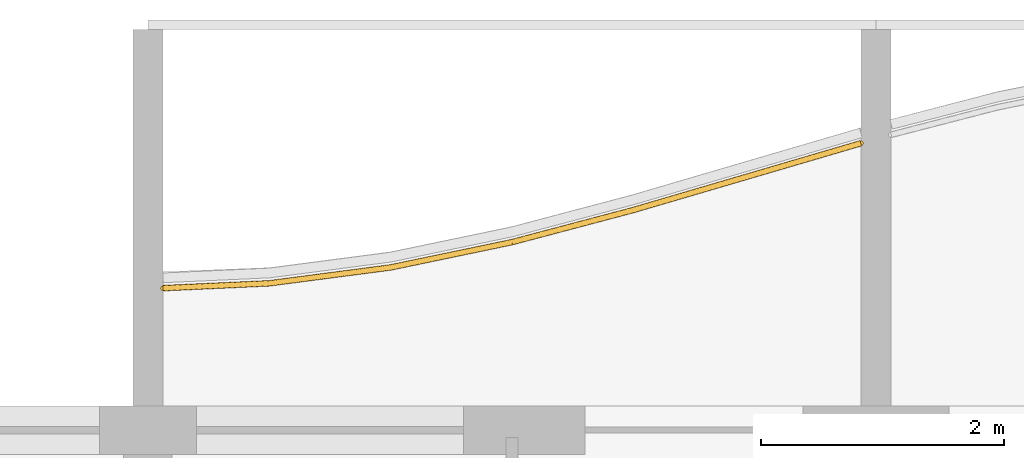
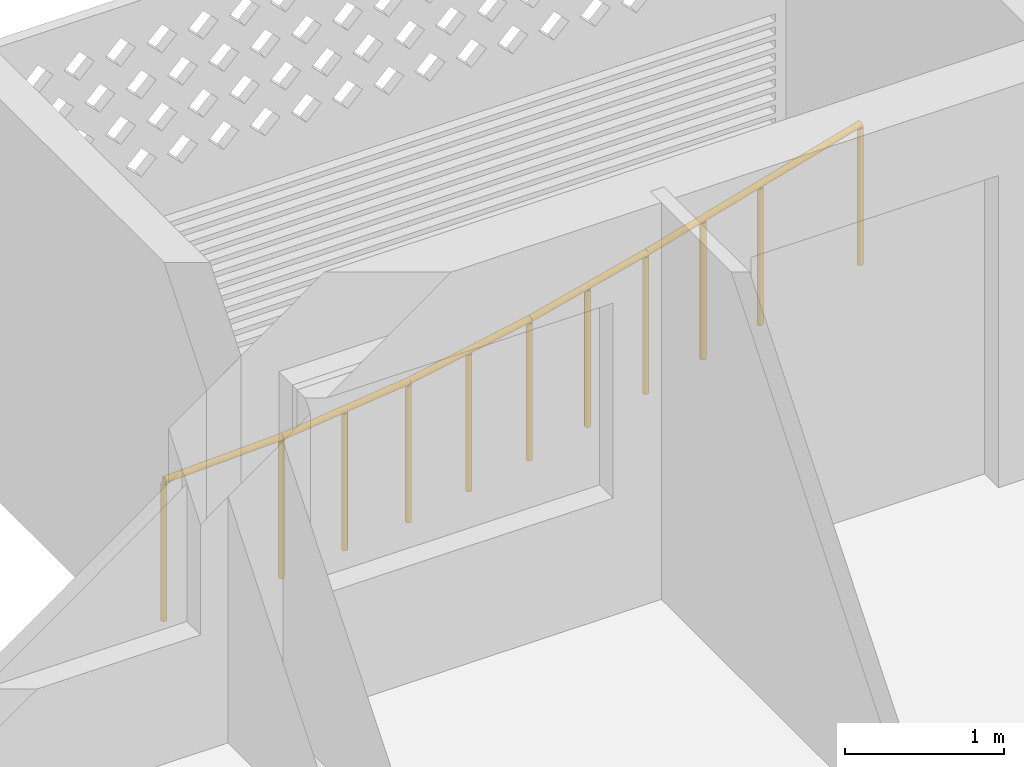
# One storey, part 31 of 38: 1 railing.
"""IFC4 building model written with IfcOpenShell, lengths in metres."""

from ifc_helpers import new_model, si_unit, direction, frame, origin, origin_2d, place, context, subcontext, project, spatial, circle, extrude, material, type_object, element, save


model = new_model("IFC4")

# Units and contexts
model_context = context("Model", 3, precision=1e-05, world=origin(), true_north=direction((0.0, 1.0)))
body_context = subcontext(model_context, "Body", "Model", "MODEL_VIEW")
ifc_project = project(units=[si_unit("LENGTHUNIT", "METRE"), si_unit("AREAUNIT", "SQUARE_METRE"), si_unit("VOLUMEUNIT", "CUBIC_METRE"), si_unit("PLANEANGLEUNIT", "RADIAN"), si_unit("MASSUNIT", "GRAM", prefix="KILO")], contexts=[model_context])

# Site, building, storey
site_placement = place(None, origin())
site = spatial("IfcSite", under=ifc_project, at=site_placement, CompositionType="ELEMENT")
building_placement = place(site_placement, origin())
building = spatial("IfcBuilding", under=site, at=building_placement, Name="Poui Terraces", CompositionType="ELEMENT")
storey_placement = place(building_placement, frame((0.0, 0.0, 46.5)))
storey = spatial("IfcBuildingStorey", under=building, at=storey_placement, Name="L12", CompositionType="ELEMENT", Elevation=46.5)

# Railing
ifc_material = material(Name="Painted steel fretwork", Category="steel")
railing_type = type_object("IfcRailingType", Name="BALCONY GUARD 1100", PredefinedType="GUARDRAIL", material=ifc_material)
railing_placement = place(storey_placement, frame((66.125, 45.97021484375, 0.0)))
element("IfcRailing", 1, at=railing_placement, inside=storey, type_object=railing_type, Name="BALCONY GUARD", PredefinedType="GUARDRAIL", context=body_context, shape_type="SweptSolid", body=[
    extrude(circle(Radius=0.02392578125, at=origin_2d()), frame((0.0, 0.0, 1.076171875), z_axis=(0.998967390489, 0.045432947726, 0.0), x_axis=(-0.045432947726, 0.998967390489, 0.0)), (0.0, 0.0, 1.0), 0.8759765625),
    extrude(circle(Radius=0.02392578125, at=origin_2d()), frame((0.875, 0.039794921875, 1.076171875), z_axis=(0.991546329967, 0.129753133023, 0.0), x_axis=(-0.129753133023, 0.991546329967, 0.0)), (0.0, 0.0, 1.0), 1.008544921875),
    extrude(circle(Radius=0.02392578125, at=origin_2d()), frame((1.875, 0.170654296875, 1.076171875), z_axis=(0.978948594034, 0.204106957838, 0.0), x_axis=(-0.204106957838, 0.978948594034, 0.0)), (0.0, 0.0, 1.0), 1.021484375),
    extrude(circle(Radius=0.02392578125, at=origin_2d()), frame((2.875, 0.379150390625, 1.076171875), z_axis=(0.966718963822, 0.255840663277, 0.0), x_axis=(-0.255840663277, 0.966718963822, 0.0)), (0.0, 0.0, 1.0), 1.034423828125),
    extrude(circle(Radius=0.02392578125, at=origin_2d()), frame((3.875, 0.643798828125, 1.076171875), z_axis=(0.959536917318, 0.281582855131, 0.0), x_axis=(-0.281582855131, 0.959536917318, 0.0)), (0.0, 0.0, 1.0), 1.042236328125),
    extrude(circle(Radius=0.02392578125, at=origin_2d()), frame((4.875, 0.937255859375, 1.076171875), z_axis=(0.959518831385, 0.281644478409, 0.0), x_axis=(-0.281644478409, 0.959518831385, 0.0)), (0.0, 0.0, 1.0), 0.911865234375),
    extrude(circle(Radius=0.02099609375, at=origin_2d()), origin(), (0.0, 0.0, 1.0), 1.052001953125),
    extrude(circle(Radius=0.02099609375, at=origin_2d()), frame((0.875, 0.039794921875, 0.0)), (0.0, 0.0, 1.0), 1.052001953125),
    extrude(circle(Radius=0.02099609375, at=origin_2d()), frame((1.375, 0.105224609375, 0.0)), (0.0, 0.0, 1.0), 1.052001953125),
    extrude(circle(Radius=0.02099609375, at=origin_2d()), frame((1.875, 0.170654296875, 0.0)), (0.0, 0.0, 1.0), 1.052001953125),
    extrude(circle(Radius=0.02099609375, at=origin_2d()), frame((2.375, 0.27490234375, 0.0)), (0.0, 0.0, 1.0), 1.052001953125),
    extrude(circle(Radius=0.02099609375, at=origin_2d()), frame((2.875, 0.379150390625, 0.0)), (0.0, 0.0, 1.0), 1.052001953125),
    extrude(circle(Radius=0.02099609375, at=origin_2d()), frame((3.375, 0.511474609375, 0.0)), (0.0, 0.0, 1.0), 1.052001953125),
    extrude(circle(Radius=0.02099609375, at=origin_2d()), frame((3.875, 0.643798828125, 0.0)), (0.0, 0.0, 1.0), 1.052001953125),
    extrude(circle(Radius=0.02099609375, at=origin_2d()), frame((4.375, 0.79052734375, 0.0)), (0.0, 0.0, 1.0), 1.052001953125),
    extrude(circle(Radius=0.02099609375, at=origin_2d()), frame((4.875, 0.937255859375, 0.0)), (0.0, 0.0, 1.0), 1.052001953125),
    extrude(circle(Radius=0.02099609375, at=origin_2d()), frame((5.75, 1.194091796875, 0.0)), (0.0, 0.0, 1.0), 1.052001953125),
])

save(model, "model.ifc")
